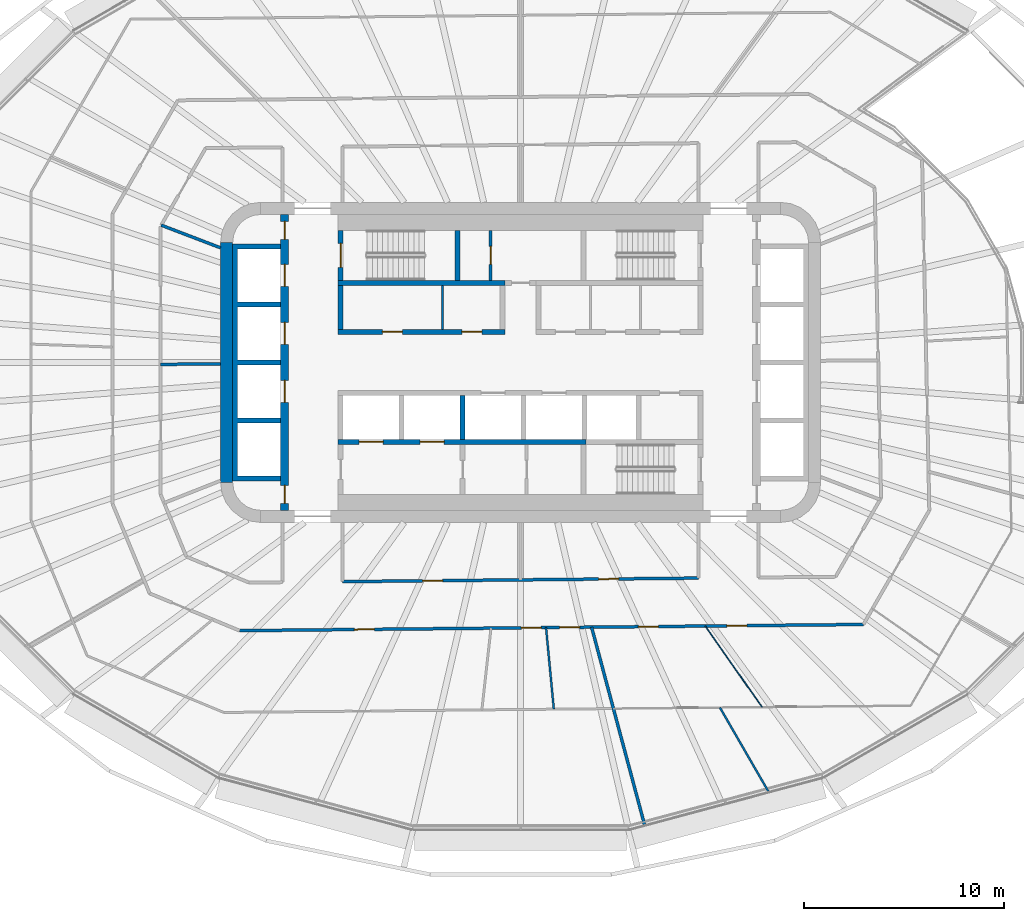
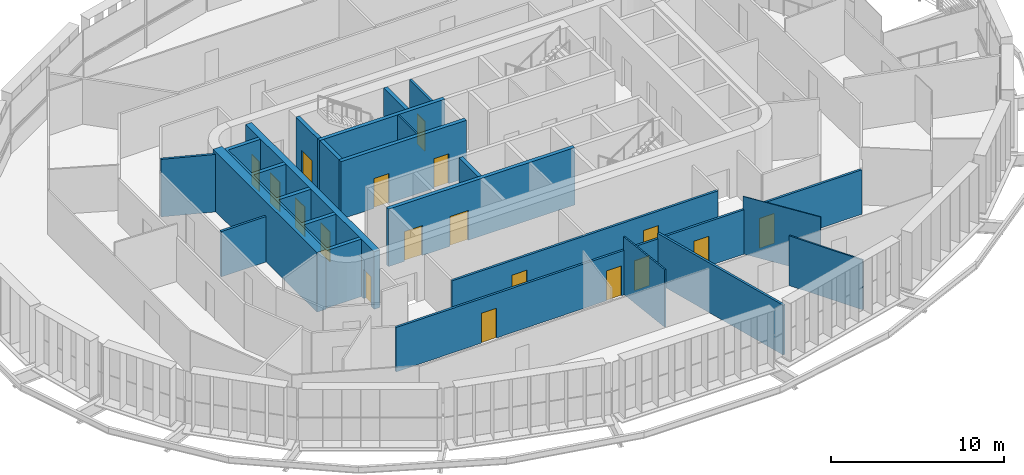
# One storey, part 13 of 24: 20 walls, 18 doors, 18 openings.
"""IFC4 building model written with IfcOpenShell, lengths in metres."""

from ifc_helpers import new_model, si_unit, direction, frame, frame_2d, origin, place, context, subcontext, project, spatial, polyline, rectangle, outline, extrude, material, layer, layer_set, type_object, element, fill, save


model = new_model("IFC4")

# Units and contexts
model_context = context("Model", 3, precision=1e-05, world=origin(), true_north=direction((0.0, 1.0)))
body_context = subcontext(model_context, "Body", "Model", "MODEL_VIEW")
ifc_project = project(units=[si_unit("LENGTHUNIT", "METRE"), si_unit("AREAUNIT", "SQUARE_METRE"), si_unit("VOLUMEUNIT", "CUBIC_METRE"), si_unit("PLANEANGLEUNIT", "RADIAN"), si_unit("MASSUNIT", "GRAM", prefix="KILO")], contexts=[model_context])

# Site, building, storey
site_placement = place(None, origin())
site = spatial("IfcSite", under=ifc_project, at=site_placement, CompositionType="ELEMENT")
building_placement = place(site_placement, origin())
building = spatial("IfcBuilding", under=site, at=building_placement, Name="Sahrelin Media Tower", CompositionType="ELEMENT")
storey_placement = place(building_placement, frame((0.0, 0.0, 71.39990234375)))
storey = spatial("IfcBuildingStorey", under=building, at=storey_placement, Name="L12", CompositionType="ELEMENT", Elevation=71.39990234375)

# Wall
ifc_material_1 = material(Name="Concrete C60/75", Category="concrete")
ifc_layer_1 = layer(ifc_material_1, 0.60009765625)
ifc_layer_set_1 = layer_set([ifc_layer_1], Name="Core wall 600")
wall_type_1 = type_object("IfcWallType", Name="Core wall 600", PredefinedType="SHEAR", material=ifc_layer_set_1)
wall_1_placement = place(storey_placement, frame((-14.699951171875, -6.0, 0.0), z_axis=(0.0, 0.0, 1.0), x_axis=(0.0, 1.0, 0.0)))
element("IfcWall", 1, at=wall_1_placement, inside=storey, type_object=wall_type_1, Name="Core wall W L12", PredefinedType="SHEAR", context=body_context, shape_type="SweptSolid", body=[
    extrude(rectangle(XDim=12.0, YDim=0.60009765625, at=frame_2d((6.0, 0.0))), origin(), (0.0, 0.0, 1.0), 4.2001953125),
])

# Wall, openings, doors
ifc_material_2 = material(Name="Fire-rated gypsum board partition")
ifc_layer_2 = layer(ifc_material_2, 0.25)
ifc_layer_set_2 = layer_set([ifc_layer_2], Name="Fire-rated lobby wall 250")
wall_type_2 = type_object("IfcWallType", Name="Fire-rated lobby wall 250", PredefinedType="PARTITIONING", material=ifc_layer_set_2)
wall_2_placement = place(storey_placement, frame((-9.125, 1.52490234375, 0.0), z_axis=(0.0, 0.0, 1.0), x_axis=(1.0, 0.0, 0.0)))
wall_2 = element("IfcWall", 2, at=wall_2_placement, inside=storey, type_object=wall_type_2, Name="Core lobby wall", PredefinedType="PARTITIONING", context=body_context, shape_type="SweptSolid", body=[
    extrude(rectangle(XDim=8.35009765625, YDim=0.25, at=frame_2d((4.175048828125, 0.0))), origin(), (0.0, 0.0, 1.0), 4.050048828125),
])
opening_1_placement = place(wall_2_placement, frame((2.21240234375, 0.0, 0.0)))
opening_1 = element("IfcOpeningElement", 3, at=opening_1_placement, cuts=wall_2, Name="Opening L12-D09", PredefinedType="OPENING", context=body_context, shape_type="SweptSolid", body=[
    extrude(rectangle(XDim=1.0, YDim=2.10009765625, at=frame_2d((0.5, 1.050048828125))), frame((0.0, 0.125, 0.0), z_axis=(0.0, -1.0, 0.0), x_axis=(1.0, 0.0, 0.0)), (0.0, 0.0, 1.0), 0.25),
])
opening_2_placement = place(wall_2_placement, frame((6.1875, 0.0, 0.0)))
opening_2 = element("IfcOpeningElement", 4, at=opening_2_placement, cuts=wall_2, Name="Opening L12-D10", PredefinedType="OPENING", context=body_context, shape_type="SweptSolid", body=[
    extrude(rectangle(XDim=1.0, YDim=2.10009765625, at=frame_2d((0.5, 1.050048828125))), frame((0.0, 0.125, 0.0), z_axis=(0.0, -1.0, 0.0), x_axis=(1.0, 0.0, 0.0)), (0.0, 0.0, 1.0), 0.25),
])
ifc_material_3 = material(Name="Steel fire door leaf", Category="steel")
door_type_1 = type_object("IfcDoorType", Name="Fire door 1000 x 2100 EI 60", OperationType="NOTDEFINED", PredefinedType="DOOR", material=ifc_material_3)
door_1_placement = place(opening_1_placement, origin())
door_1 = element("IfcDoor", 5, at=door_1_placement, inside=storey, type_object=door_type_1, Name="Core room door", OperationType="SINGLE_SWING_LEFT", OverallHeight=2.10009765625, OverallWidth=1.0, PredefinedType="DOOR", context=body_context, shape_type="SweptSolid", body=[
    extrude(rectangle(XDim=1.0, YDim=2.10009765625, at=frame_2d((0.5, 1.050048828125))), frame((0.0, 0.02490234375, 0.0), z_axis=(0.0, -1.0, 0.0), x_axis=(1.0, 0.0, 0.0)), (0.0, 0.0, 1.0), 0.050048828125),
])
fill(opening_1, door_1)
door_2_placement = place(opening_2_placement, origin())
door_2 = element("IfcDoor", 6, at=door_2_placement, inside=storey, type_object=door_type_1, Name="Core room door", OperationType="SINGLE_SWING_LEFT", OverallHeight=2.10009765625, OverallWidth=1.0, PredefinedType="DOOR", context=body_context, shape_type="SweptSolid", body=[
    extrude(rectangle(XDim=1.0, YDim=2.10009765625, at=frame_2d((0.5, 1.050048828125))), frame((0.0, 0.02490234375, 0.0), z_axis=(0.0, -1.0, 0.0), x_axis=(1.0, 0.0, 0.0)), (0.0, 0.0, 1.0), 0.050048828125),
])
fill(opening_2, door_2)

# Walls
wall_3_placement = place(storey_placement, frame((-9.0, 1.64990234375, 0.0), z_axis=(0.0, 0.0, 1.0), x_axis=(0.0, 1.0, 0.0)))
element("IfcWall", 7, at=wall_3_placement, inside=storey, type_object=wall_type_2, Name="Core lobby wall", PredefinedType="PARTITIONING", context=body_context, shape_type="SweptSolid", body=[
    extrude(rectangle(XDim=2.2001953125, YDim=0.25, at=frame_2d((1.10009765625, 0.0))), origin(), (0.0, 0.0, 1.0), 4.050048828125),
])
ifc_layer_3 = layer(ifc_material_2, 0.10009765625)
ifc_layer_set_3 = layer_set([ifc_layer_3], Name="Fire-rated partition 100")
wall_type_3 = type_object("IfcWallType", Name="Fire-rated partition 100", PredefinedType="PARTITIONING", material=ifc_layer_set_3)
wall_4_placement = place(storey_placement, frame((-3.89990234375, 1.64990234375, 0.0), z_axis=(0.0, 0.0, 1.0), x_axis=(0.0, 1.0, 0.0)))
element("IfcWall", 8, at=wall_4_placement, inside=storey, type_object=wall_type_3, Name="Core room partition", PredefinedType="PARTITIONING", context=body_context, shape_type="SweptSolid", body=[
    extrude(rectangle(XDim=2.2001953125, YDim=0.10009765625, at=frame_2d((1.10009765625, 0.0))), origin(), (0.0, 0.0, 1.0), 4.050048828125),
])

# Wall, opening, door
ifc_layer_4 = layer(ifc_material_2, 0.14990234375)
ifc_layer_set_4 = layer_set([ifc_layer_4], Name="Fire-rated partition 150")
wall_type_4 = type_object("IfcWallType", Name="Fire-rated partition 150", PredefinedType="PARTITIONING", material=ifc_layer_set_4)
wall_5_placement = place(storey_placement, frame((-1.5, 4.10009765625, 0.0), z_axis=(0.0, 0.0, 1.0), x_axis=(0.0, 1.0, 0.0)))
wall_5 = element("IfcWall", 9, at=wall_5_placement, inside=storey, type_object=wall_type_4, Name="Core room fire partition", PredefinedType="PARTITIONING", context=body_context, shape_type="SweptSolid", body=[
    extrude(rectangle(XDim=2.5, YDim=0.14990234375, at=frame_2d((1.25, 0.0))), origin(), (0.0, 0.0, 1.0), 4.050048828125),
])
opening_3_placement = place(wall_5_placement, frame((0.800048828125, 0.0, 0.0)))
opening_3 = element("IfcOpeningElement", 10, at=opening_3_placement, cuts=wall_5, Name="Opening L12-D07", PredefinedType="OPENING", context=body_context, shape_type="SweptSolid", body=[
    extrude(rectangle(XDim=0.89990234375, YDim=2.10009765625, at=frame_2d((0.449951171875, 1.050048828125))), frame((0.0, 0.074951171875, 0.0), z_axis=(0.0, -1.0, 0.0), x_axis=(1.0, 0.0, 0.0)), (0.0, 0.0, 1.0), 0.14990234375),
])
door_type_2 = type_object("IfcDoorType", Name="Fire door 900 x 2100 EI 60", OperationType="NOTDEFINED", PredefinedType="DOOR", material=ifc_material_3)
door_3_placement = place(opening_3_placement, origin())
door_3 = element("IfcDoor", 11, at=door_3_placement, inside=storey, type_object=door_type_2, Name="Core room door", OperationType="SINGLE_SWING_LEFT", OverallHeight=2.10009765625, OverallWidth=0.89990234375, PredefinedType="DOOR", context=body_context, shape_type="SweptSolid", body=[
    extrude(rectangle(XDim=0.89990234375, YDim=2.10009765625, at=frame_2d((0.449951171875, 1.050048828125))), frame((0.0, 0.02490234375, 0.0), z_axis=(0.0, -1.0, 0.0), x_axis=(1.0, 0.0, 0.0)), (0.0, 0.0, 1.0), 0.050048828125),
])
fill(opening_3, door_3)

# Walls
wall_6_placement = place(storey_placement, frame((3.547119140625, -13.236083984375, 0.0), z_axis=(0.0, 0.0, 1.0), x_axis=(0.258783597602, -0.965935323721, 0.0)))
element("IfcWall", 12, at=wall_6_placement, inside=storey, type_object=wall_type_4, Name="Wall", PredefinedType="PARTITIONING", context=body_context, shape_type="SweptSolid", body=[
    extrude(rectangle(XDim=10.273681640625, YDim=0.14990234375, at=frame_2d((5.13671875, 0.0))), origin(), (0.0, 0.0, 1.0), 3.501708984375),
])
wall_7_placement = place(storey_placement, frame((-17.968017578125, 6.860107421875, 0.0), z_axis=(0.0, 0.0, 1.0), x_axis=(0.934237940374, -0.356650348053, 0.0)))
element("IfcWall", 13, at=wall_7_placement, inside=storey, type_object=wall_type_4, Name="Wall", PredefinedType="PARTITIONING", context=body_context, shape_type="SweptSolid", body=[
    extrude(rectangle(XDim=3.177001953125, YDim=0.14990234375, at=frame_2d((1.58837890625, 0.0))), origin(), (0.0, 0.0, 1.0), 4.050048828125),
])
wall_8_placement = place(storey_placement, frame((-18.0, -0.096923828125, 0.0), z_axis=(0.0, 0.0, 1.0), x_axis=(0.999985575988, 0.005371016277, 0.0)))
element("IfcWall", 14, at=wall_8_placement, inside=storey, type_object=wall_type_4, Name="Wall", PredefinedType="PARTITIONING", context=body_context, shape_type="SweptSolid", body=[
    extrude(rectangle(XDim=3.0, YDim=0.14990234375, at=frame_2d((1.5, 0.0))), origin(), (0.0, 0.0, 1.0), 3.1953125),
])

# Wall, openings, doors
wall_9_placement = place(storey_placement, frame((-14.049072265625, -13.410888671875, 0.0), z_axis=(0.0, 0.0, 1.0), x_axis=(0.999950729089, 0.009926701045, 0.0)))
wall_9 = element("IfcWall", 15, at=wall_9_placement, inside=storey, type_object=wall_type_4, Name="Wall", PredefinedType="PARTITIONING", context=body_context, shape_type="SweptSolid", body=[
    extrude(rectangle(XDim=31.185546875, YDim=0.14990234375, at=frame_2d((15.5927734375, 0.0))), origin(), (0.0, 0.0, 1.0), 3.127197265625),
])
opening_4_placement = place(wall_9_placement, frame((5.732666015625, 0.0, 0.0)))
opening_4 = element("IfcOpeningElement", 16, at=opening_4_placement, cuts=wall_9, Name="Opening L12-D40", PredefinedType="OPENING", context=body_context, shape_type="SweptSolid", body=[
    extrude(rectangle(XDim=1.0, YDim=2.10009765625, at=frame_2d((0.5, 1.050048828125))), frame((0.0, 0.074951171875, 0.0), z_axis=(0.0, -1.0, 0.0), x_axis=(1.0, 0.0, 0.0)), (0.0, 0.0, 1.0), 0.14990234375),
])
opening_5_placement = place(wall_9_placement, frame((14.07958984375, 0.0, 0.0)))
opening_5 = element("IfcOpeningElement", 17, at=opening_5_placement, cuts=wall_9, Name="Opening L12-D41", PredefinedType="OPENING", context=body_context, shape_type="SweptSolid", body=[
    extrude(rectangle(XDim=1.0, YDim=2.10009765625, at=frame_2d((0.5, 1.050048828125))), frame((0.0, 0.074951171875, 0.0), z_axis=(0.0, -1.0, 0.0), x_axis=(1.0, 0.0, 0.0)), (0.0, 0.0, 1.0), 0.14990234375),
])
opening_6_placement = place(wall_9_placement, frame((15.995849609375, 0.0, 0.0)))
opening_6 = element("IfcOpeningElement", 18, at=opening_6_placement, cuts=wall_9, Name="Opening L12-D42", PredefinedType="OPENING", context=body_context, shape_type="SweptSolid", body=[
    extrude(rectangle(XDim=1.0, YDim=2.10009765625, at=frame_2d((0.5, 1.050048828125))), frame((0.0, 0.074951171875, 0.0), z_axis=(0.0, -1.0, 0.0), x_axis=(1.0, 0.0, 0.0)), (0.0, 0.0, 1.0), 0.14990234375),
])
opening_7_placement = place(wall_9_placement, frame((19.9404296875, 0.0, 0.0)))
opening_7 = element("IfcOpeningElement", 19, at=opening_7_placement, cuts=wall_9, Name="Opening L12-D44", PredefinedType="OPENING", context=body_context, shape_type="SweptSolid", body=[
    extrude(rectangle(XDim=1.0, YDim=2.10009765625, at=frame_2d((0.5, 1.050048828125))), frame((0.0, 0.074951171875, 0.0), z_axis=(0.0, -1.0, 0.0), x_axis=(1.0, 0.0, 0.0)), (0.0, 0.0, 1.0), 0.14990234375),
])
opening_8_placement = place(wall_9_placement, frame((24.358642578125, 0.0, 0.0)))
opening_8 = element("IfcOpeningElement", 20, at=opening_8_placement, cuts=wall_9, Name="Opening L12-D45", PredefinedType="OPENING", context=body_context, shape_type="SweptSolid", body=[
    extrude(rectangle(XDim=1.0, YDim=2.10009765625, at=frame_2d((0.5, 1.050048828125))), frame((0.0, 0.074951171875, 0.0), z_axis=(0.0, -1.0, 0.0), x_axis=(1.0, 0.0, 0.0)), (0.0, 0.0, 1.0), 0.14990234375),
])
door_4_placement = place(opening_4_placement, origin())
door_4 = element("IfcDoor", 21, at=door_4_placement, inside=storey, type_object=door_type_1, Name="Fire door", OperationType="SINGLE_SWING_LEFT", OverallHeight=2.10009765625, OverallWidth=1.0, PredefinedType="DOOR", context=body_context, shape_type="SweptSolid", body=[
    extrude(rectangle(XDim=1.0, YDim=2.10009765625, at=frame_2d((0.5, 1.050048828125))), frame((0.0, 0.02490234375, 0.0), z_axis=(0.0, -1.0, 0.0), x_axis=(1.0, 0.0, 0.0)), (0.0, 0.0, 1.0), 0.050048828125),
])
fill(opening_4, door_4)
door_5_placement = place(opening_5_placement, origin())
door_5 = element("IfcDoor", 22, at=door_5_placement, inside=storey, type_object=door_type_1, Name="Fire door", OperationType="SINGLE_SWING_LEFT", OverallHeight=2.10009765625, OverallWidth=1.0, PredefinedType="DOOR", context=body_context, shape_type="SweptSolid", body=[
    extrude(rectangle(XDim=1.0, YDim=2.10009765625, at=frame_2d((0.5, 1.050048828125))), frame((0.0, 0.02490234375, 0.0), z_axis=(0.0, -1.0, 0.0), x_axis=(1.0, 0.0, 0.0)), (0.0, 0.0, 1.0), 0.050048828125),
])
fill(opening_5, door_5)
door_6_placement = place(opening_6_placement, origin())
door_6 = element("IfcDoor", 23, at=door_6_placement, inside=storey, type_object=door_type_1, Name="Fire door", OperationType="SINGLE_SWING_LEFT", OverallHeight=2.10009765625, OverallWidth=1.0, PredefinedType="DOOR", context=body_context, shape_type="SweptSolid", body=[
    extrude(rectangle(XDim=1.0, YDim=2.10009765625, at=frame_2d((0.5, 1.050048828125))), frame((0.0, 0.02490234375, 0.0), z_axis=(0.0, -1.0, 0.0), x_axis=(1.0, 0.0, 0.0)), (0.0, 0.0, 1.0), 0.050048828125),
])
fill(opening_6, door_6)
door_7_placement = place(opening_7_placement, origin())
door_7 = element("IfcDoor", 24, at=door_7_placement, inside=storey, type_object=door_type_1, Name="Fire door", OperationType="SINGLE_SWING_LEFT", OverallHeight=2.10009765625, OverallWidth=1.0, PredefinedType="DOOR", context=body_context, shape_type="SweptSolid", body=[
    extrude(rectangle(XDim=1.0, YDim=2.10009765625, at=frame_2d((0.5, 1.050048828125))), frame((0.0, 0.02490234375, 0.0), z_axis=(0.0, -1.0, 0.0), x_axis=(1.0, 0.0, 0.0)), (0.0, 0.0, 1.0), 0.050048828125),
])
fill(opening_7, door_7)
door_8_placement = place(opening_8_placement, origin())
door_8 = element("IfcDoor", 25, at=door_8_placement, inside=storey, type_object=door_type_1, Name="Fire door", OperationType="SINGLE_SWING_RIGHT", OverallHeight=2.10009765625, OverallWidth=1.0, PredefinedType="DOOR", context=body_context, shape_type="SweptSolid", body=[
    extrude(rectangle(XDim=1.0, YDim=2.10009765625, at=frame_2d((0.5, 1.050048828125))), frame((0.0, 0.02490234375, 0.0), z_axis=(0.0, -1.0, 0.0), x_axis=(1.0, 0.0, 0.0)), (0.0, 0.0, 1.0), 0.050048828125),
])
fill(opening_8, door_8)

wall_10_placement = place(storey_placement, frame((-8.89990234375, -10.9599609375, 0.0), z_axis=(0.0, 0.0, 1.0), x_axis=(0.999950697987, 0.009929833562, 0.0)))
wall_10 = element("IfcWall", 26, at=wall_10_placement, inside=storey, type_object=wall_type_4, Name="Wall", PredefinedType="PARTITIONING", context=body_context, shape_type="SweptSolid", body=[
    extrude(rectangle(XDim=17.80078125, YDim=0.14990234375, at=frame_2d((8.900390625, 0.0))), origin(), (0.0, 0.0, 1.0), 3.127197265625),
])
opening_9_placement = place(wall_10_placement, frame((4.00048828125, 0.0, 0.0)))
opening_9 = element("IfcOpeningElement", 27, at=opening_9_placement, cuts=wall_10, Name="Opening L12-D23", PredefinedType="OPENING", context=body_context, shape_type="SweptSolid", body=[
    extrude(rectangle(XDim=1.0, YDim=2.10009765625, at=frame_2d((0.5, 1.050048828125))), frame((0.0, 0.074951171875, 0.0), z_axis=(0.0, -1.0, 0.0), x_axis=(1.0, 0.0, 0.0)), (0.0, 0.0, 1.0), 0.14990234375),
])
opening_10_placement = place(wall_10_placement, frame((12.7998046875, 0.0, 0.0)))
opening_10 = element("IfcOpeningElement", 28, at=opening_10_placement, cuts=wall_10, Name="Opening L12-D24", PredefinedType="OPENING", context=body_context, shape_type="SweptSolid", body=[
    extrude(rectangle(XDim=1.0, YDim=2.10009765625, at=frame_2d((0.5, 1.050048828125))), frame((0.0, 0.074951171875, 0.0), z_axis=(0.0, -1.0, 0.0), x_axis=(1.0, 0.0, 0.0)), (0.0, 0.0, 1.0), 0.14990234375),
])
door_9_placement = place(opening_9_placement, origin())
door_9 = element("IfcDoor", 29, at=door_9_placement, inside=storey, type_object=door_type_1, Name="Fire door", OperationType="SINGLE_SWING_RIGHT", OverallHeight=2.10009765625, OverallWidth=1.0, PredefinedType="DOOR", context=body_context, shape_type="SweptSolid", body=[
    extrude(rectangle(XDim=1.0, YDim=2.10009765625, at=frame_2d((0.5, 1.050048828125))), frame((0.0, 0.02490234375, 0.0), z_axis=(0.0, -1.0, 0.0), x_axis=(1.0, 0.0, 0.0)), (0.0, 0.0, 1.0), 0.050048828125),
])
fill(opening_9, door_9)
door_10_placement = place(opening_10_placement, origin())
door_10 = element("IfcDoor", 30, at=door_10_placement, inside=storey, type_object=door_type_1, Name="Fire door", OperationType="SINGLE_SWING_RIGHT", OverallHeight=2.10009765625, OverallWidth=1.0, PredefinedType="DOOR", context=body_context, shape_type="SweptSolid", body=[
    extrude(rectangle(XDim=1.0, YDim=2.10009765625, at=frame_2d((0.5, 1.050048828125))), frame((0.0, 0.02490234375, 0.0), z_axis=(0.0, -1.0, 0.0), x_axis=(1.0, 0.0, 0.0)), (0.0, 0.0, 1.0), 0.050048828125),
])
fill(opening_10, door_10)

# Wall
ifc_material_4 = material(Name="Clear glass", Category="glass")
ifc_layer_5 = layer(ifc_material_4, 0.050048828125)
ifc_layer_set_5 = layer_set([ifc_layer_5], Name="Glazed partition 50")
wall_type_5 = type_object("IfcWallType", Name="Glazed partition 50", PredefinedType="PARTITIONING", material=ifc_layer_set_5)
wall_11_placement = place(storey_placement, frame((9.22802734375, -13.179931640625, 0.0), z_axis=(0.0, 0.0, 1.0), x_axis=(0.57366437087, -0.819090464842, 0.0)))
element("IfcWall", 31, at=wall_11_placement, inside=storey, type_object=wall_type_5, Name="Wall", PredefinedType="PARTITIONING", context=body_context, shape_type="SweptSolid", body=[
    extrude(rectangle(XDim=4.947021484375, YDim=0.050048828125, at=frame_2d((2.4736328125, 0.0))), origin(), (0.0, 0.0, 1.0), 4.050048828125),
])

# Wall, openings, doors
ifc_layer_6 = layer(ifc_material_1, 0.25)
ifc_layer_set_6 = layer_set([ifc_layer_6], Name="Lift shaft wall 250")
wall_type_6 = type_object("IfcWallType", Name="Lift shaft wall 250", PredefinedType="SOLIDWALL", material=ifc_layer_set_6)
wall_12_placement = place(storey_placement, frame((-9.125, -3.97509765625, 0.0), z_axis=(0.0, 0.0, 1.0), x_axis=(1.0, 0.0, 0.0)))
wall_12 = element("IfcWall", 32, at=wall_12_placement, inside=storey, type_object=wall_type_6, Name="Lift shaft wall", PredefinedType="SOLIDWALL", context=body_context, shape_type="SweptSolid", body=[
    extrude(rectangle(XDim=12.39990234375, YDim=0.25, at=frame_2d((6.199951171875, 0.0))), origin(), (0.0, 0.0, 1.0), 4.050048828125),
])
opening_11_placement = place(wall_12_placement, frame((1.050048828125, 0.0, 0.0)))
opening_11 = element("IfcOpeningElement", 33, at=opening_11_placement, cuts=wall_12, Name="Opening L12-LD-FF1", PredefinedType="OPENING", context=body_context, shape_type="SweptSolid", body=[
    extrude(rectangle(XDim=1.199951171875, YDim=2.10009765625, at=frame_2d((0.60009765625, 1.050048828125))), frame((0.0, 0.125, 0.0), z_axis=(0.0, -1.0, 0.0), x_axis=(1.0, 0.0, 0.0)), (0.0, 0.0, 1.0), 0.25),
])
opening_12_placement = place(wall_12_placement, frame((4.10009765625, 0.0, 0.0)))
opening_12 = element("IfcOpeningElement", 34, at=opening_12_placement, cuts=wall_12, Name="Opening L12-LD-FF2", PredefinedType="OPENING", context=body_context, shape_type="SweptSolid", body=[
    extrude(rectangle(XDim=1.199951171875, YDim=2.10009765625, at=frame_2d((0.60009765625, 1.050048828125))), frame((0.0, 0.125, 0.0), z_axis=(0.0, -1.0, 0.0), x_axis=(1.0, 0.0, 0.0)), (0.0, 0.0, 1.0), 0.25),
])
ifc_material_5 = material(Name="Stainless steel", Category="steel")
door_type_3 = type_object("IfcDoorType", Name="Lift landing door 1200 x 2100 EI 120", OperationType="DOUBLE_DOOR_SLIDING", PredefinedType="DOOR", material=ifc_material_5)
door_11_placement = place(opening_11_placement, origin())
door_11 = element("IfcDoor", 35, at=door_11_placement, inside=storey, type_object=door_type_3, Name="Lift landing door FF1", OperationType="DOUBLE_DOOR_SLIDING", OverallHeight=2.10009765625, OverallWidth=1.199951171875, PredefinedType="DOOR", context=body_context, shape_type="SweptSolid", body=[
    extrude(rectangle(XDim=1.199951171875, YDim=2.10009765625, at=frame_2d((0.60009765625, 1.050048828125))), frame((0.0, 0.02490234375, 0.0), z_axis=(0.0, -1.0, 0.0), x_axis=(1.0, 0.0, 0.0)), (0.0, 0.0, 1.0), 0.050048828125),
])
fill(opening_11, door_11)
door_12_placement = place(opening_12_placement, origin())
door_12 = element("IfcDoor", 36, at=door_12_placement, inside=storey, type_object=door_type_3, Name="Lift landing door FF2", OperationType="DOUBLE_DOOR_SLIDING", OverallHeight=2.10009765625, OverallWidth=1.199951171875, PredefinedType="DOOR", context=body_context, shape_type="SweptSolid", body=[
    extrude(rectangle(XDim=1.199951171875, YDim=2.10009765625, at=frame_2d((0.60009765625, 1.050048828125))), frame((0.0, 0.02490234375, 0.0), z_axis=(0.0, -1.0, 0.0), x_axis=(1.0, 0.0, 0.0)), (0.0, 0.0, 1.0), 0.050048828125),
])
fill(opening_12, door_12)

# Walls
wall_13_placement = place(storey_placement, frame((-2.89990234375, -3.85009765625, 0.0), z_axis=(0.0, 0.0, 1.0), x_axis=(0.0, 1.0, 0.0)))
element("IfcWall", 37, at=wall_13_placement, inside=storey, type_object=wall_type_6, Name="Lift shaft wall", PredefinedType="SOLIDWALL", context=body_context, shape_type="SweptSolid", body=[
    extrude(rectangle(XDim=2.2001953125, YDim=0.25, at=frame_2d((1.10009765625, 0.0))), origin(), (0.0, 0.0, 1.0), 4.050048828125),
])
wall_14_placement = place(storey_placement, origin())
element("IfcWall", 38, at=wall_14_placement, inside=storey, type_object=wall_type_6, Name="Lift shaft wall", PredefinedType="SOLIDWALL", context=body_context, shape_type="SweptSolid", body=[
    extrude(outline(polyline([(-12.0, -5.925048828125), (-12.0, -5.675048828125), (-14.14990234375, -5.675048828125), (-14.14990234375, -3.02490234375), (-12.0, -3.02490234375), (-12.0, -2.77490234375), (-14.14990234375, -2.77490234375), (-14.14990234375, -0.125), (-12.0, -0.125), (-12.0, 0.125), (-14.14990234375, 0.125), (-14.14990234375, 2.77490234375), (-12.0, 2.77490234375), (-12.0, 3.02490234375), (-14.14990234375, 3.02490234375), (-14.14990234375, 5.675048828125), (-12.0, 5.675048828125), (-12.0, 5.925048828125), (-14.14990234375, 5.925048828125), (-14.39990234375, 5.925048828125), (-14.39990234375, 5.675048828125), (-14.39990234375, 3.02490234375), (-14.39990234375, 2.77490234375), (-14.39990234375, 0.125), (-14.39990234375, -0.125), (-14.39990234375, -2.77490234375), (-14.39990234375, -3.02490234375), (-14.39990234375, -5.675048828125), (-14.39990234375, -5.925048828125), (-14.14990234375, -5.925048828125), (-12.0, -5.925048828125)])), origin(), (0.0, 0.0, 1.0), 4.050048828125),
])

# Wall, openings, doors
ifc_layer_7 = layer(ifc_material_1, 0.39990234375)
ifc_layer_set_7 = layer_set([ifc_layer_7], Name="Lift shaft wall 400")
wall_type_7 = type_object("IfcWallType", Name="Lift shaft wall 400", PredefinedType="SOLIDWALL", material=ifc_layer_set_7)
wall_15_placement = place(storey_placement, frame((-11.800048828125, -7.39990234375, 0.0), z_axis=(0.0, 0.0, 1.0), x_axis=(0.0, 1.0, 0.0)))
wall_15 = element("IfcWall", 39, at=wall_15_placement, inside=storey, type_object=wall_type_7, Name="Lift shaft wall", PredefinedType="SOLIDWALL", context=body_context, shape_type="SweptSolid", body=[
    extrude(rectangle(XDim=14.7998046875, YDim=0.39990234375, at=frame_2d((7.39990234375, 0.0))), origin(), (0.0, 0.0, 1.0), 4.050048828125),
])
opening_13_placement = place(wall_15_placement, frame((11.199951171875, 0.0, 0.0)))
opening_13 = element("IfcOpeningElement", 40, at=opening_13_placement, cuts=wall_15, Name="Opening L12-LD-LR1", PredefinedType="OPENING", context=body_context, shape_type="SweptSolid", body=[
    extrude(rectangle(XDim=1.10009765625, YDim=2.10009765625, at=frame_2d((0.550048828125, 1.050048828125))), frame((0.0, 0.199951171875, 0.0), z_axis=(0.0, -1.0, 0.0), x_axis=(1.0, 0.0, 0.0)), (0.0, 0.0, 1.0), 0.39990234375),
])
opening_14_placement = place(wall_15_placement, frame((8.300048828125, 0.0, 0.0)))
opening_14 = element("IfcOpeningElement", 41, at=opening_14_placement, cuts=wall_15, Name="Opening L12-LD-LR2", PredefinedType="OPENING", context=body_context, shape_type="SweptSolid", body=[
    extrude(rectangle(XDim=1.10009765625, YDim=2.10009765625, at=frame_2d((0.550048828125, 1.050048828125))), frame((0.0, 0.199951171875, 0.0), z_axis=(0.0, -1.0, 0.0), x_axis=(1.0, 0.0, 0.0)), (0.0, 0.0, 1.0), 0.39990234375),
])
opening_15_placement = place(wall_15_placement, frame((5.39990234375, 0.0, 0.0)))
opening_15 = element("IfcOpeningElement", 42, at=opening_15_placement, cuts=wall_15, Name="Opening L12-LD-LR3", PredefinedType="OPENING", context=body_context, shape_type="SweptSolid", body=[
    extrude(rectangle(XDim=1.10009765625, YDim=2.10009765625, at=frame_2d((0.550048828125, 1.050048828125))), frame((0.0, 0.199951171875, 0.0), z_axis=(0.0, -1.0, 0.0), x_axis=(1.0, 0.0, 0.0)), (0.0, 0.0, 1.0), 0.39990234375),
])
opening_16_placement = place(wall_15_placement, frame((13.552490234375, 0.0, 0.0)))
opening_16 = element("IfcOpeningElement", 43, at=opening_16_placement, cuts=wall_15, Name="Opening L12-D15", PredefinedType="OPENING", context=body_context, shape_type="SweptSolid", body=[
    extrude(rectangle(XDim=0.89990234375, YDim=2.10009765625, at=frame_2d((0.449951171875, 1.050048828125))), frame((0.0, 0.199951171875, 0.0), z_axis=(0.0, -1.0, 0.0), x_axis=(1.0, 0.0, 0.0)), (0.0, 0.0, 1.0), 0.39990234375),
])
opening_17_placement = place(wall_15_placement, frame((0.347412109375, 0.0, 0.0)))
opening_17 = element("IfcOpeningElement", 44, at=opening_17_placement, cuts=wall_15, Name="Opening L12-D16", PredefinedType="OPENING", context=body_context, shape_type="SweptSolid", body=[
    extrude(rectangle(XDim=0.89990234375, YDim=2.10009765625, at=frame_2d((0.449951171875, 1.050048828125))), frame((0.0, 0.199951171875, 0.0), z_axis=(0.0, -1.0, 0.0), x_axis=(1.0, 0.0, 0.0)), (0.0, 0.0, 1.0), 0.39990234375),
])
door_type_4 = type_object("IfcDoorType", Name="Lift landing door 1100 x 2100 EI 120", OperationType="DOUBLE_DOOR_SLIDING", PredefinedType="DOOR", material=ifc_material_5)
door_13_placement = place(opening_13_placement, origin())
door_13 = element("IfcDoor", 45, at=door_13_placement, inside=storey, type_object=door_type_4, Name="Lift landing door LR1", OperationType="DOUBLE_DOOR_SLIDING", OverallHeight=2.10009765625, OverallWidth=1.10009765625, PredefinedType="DOOR", context=body_context, shape_type="SweptSolid", body=[
    extrude(rectangle(XDim=1.10009765625, YDim=2.10009765625, at=frame_2d((0.550048828125, 1.050048828125))), frame((0.0, 0.02490234375, 0.0), z_axis=(0.0, -1.0, 0.0), x_axis=(1.0, 0.0, 0.0)), (0.0, 0.0, 1.0), 0.050048828125),
])
fill(opening_13, door_13)
door_14_placement = place(opening_14_placement, origin())
door_14 = element("IfcDoor", 46, at=door_14_placement, inside=storey, type_object=door_type_4, Name="Lift landing door LR2", OperationType="DOUBLE_DOOR_SLIDING", OverallHeight=2.10009765625, OverallWidth=1.10009765625, PredefinedType="DOOR", context=body_context, shape_type="SweptSolid", body=[
    extrude(rectangle(XDim=1.10009765625, YDim=2.10009765625, at=frame_2d((0.550048828125, 1.050048828125))), frame((0.0, 0.02490234375, 0.0), z_axis=(0.0, -1.0, 0.0), x_axis=(1.0, 0.0, 0.0)), (0.0, 0.0, 1.0), 0.050048828125),
])
fill(opening_14, door_14)
door_15_placement = place(opening_15_placement, origin())
door_15 = element("IfcDoor", 47, at=door_15_placement, inside=storey, type_object=door_type_4, Name="Lift landing door LR3", OperationType="DOUBLE_DOOR_SLIDING", OverallHeight=2.10009765625, OverallWidth=1.10009765625, PredefinedType="DOOR", context=body_context, shape_type="SweptSolid", body=[
    extrude(rectangle(XDim=1.10009765625, YDim=2.10009765625, at=frame_2d((0.550048828125, 1.050048828125))), frame((0.0, 0.02490234375, 0.0), z_axis=(0.0, -1.0, 0.0), x_axis=(1.0, 0.0, 0.0)), (0.0, 0.0, 1.0), 0.050048828125),
])
fill(opening_15, door_15)
door_type_5 = type_object("IfcDoorType", Name="Riser door 900 x 2100 EI 120", OperationType="NOTDEFINED", PredefinedType="DOOR", material=ifc_material_3)
door_16_placement = place(opening_16_placement, origin())
door_16 = element("IfcDoor", 48, at=door_16_placement, inside=storey, type_object=door_type_5, Name="Riser door", OperationType="SINGLE_SWING_LEFT", OverallHeight=2.10009765625, OverallWidth=0.89990234375, PredefinedType="DOOR", context=body_context, shape_type="SweptSolid", body=[
    extrude(rectangle(XDim=0.89990234375, YDim=2.10009765625, at=frame_2d((0.449951171875, 1.050048828125))), frame((0.0, 0.02490234375, 0.0), z_axis=(0.0, -1.0, 0.0), x_axis=(1.0, 0.0, 0.0)), (0.0, 0.0, 1.0), 0.050048828125),
])
fill(opening_16, door_16)
door_17_placement = place(opening_17_placement, origin())
door_17 = element("IfcDoor", 49, at=door_17_placement, inside=storey, type_object=door_type_5, Name="Riser door", OperationType="SINGLE_SWING_LEFT", OverallHeight=2.10009765625, OverallWidth=0.89990234375, PredefinedType="DOOR", context=body_context, shape_type="SweptSolid", body=[
    extrude(rectangle(XDim=0.89990234375, YDim=2.10009765625, at=frame_2d((0.449951171875, 1.050048828125))), frame((0.0, 0.02490234375, 0.0), z_axis=(0.0, -1.0, 0.0), x_axis=(1.0, 0.0, 0.0)), (0.0, 0.0, 1.0), 0.050048828125),
])
fill(opening_17, door_17)

# Walls
ifc_material_6 = material(Name="Gypsum board partition")
ifc_layer_8 = layer(ifc_material_6, 0.10009765625)
ifc_layer_set_8 = layer_set([ifc_layer_8], Name="Partition 100")
wall_type_8 = type_object("IfcWallType", Name="Partition 100", PredefinedType="PARTITIONING", material=ifc_layer_set_8)
wall_16_placement = place(storey_placement, frame((1.26904296875, -13.259033203125, 0.0), z_axis=(0.0, 0.0, 1.0), x_axis=(0.095200112208, -0.99545815514, 0.0)))
element("IfcWall", 50, at=wall_16_placement, inside=storey, type_object=wall_type_8, Name="Wall", PredefinedType="PARTITIONING", context=body_context, shape_type="SweptSolid", body=[
    extrude(rectangle(XDim=4.095458984375, YDim=0.10009765625, at=frame_2d((2.0478515625, 0.0))), origin(), (0.0, 0.0, 1.0), 4.050048828125),
])
wall_17_placement = place(storey_placement, frame((9.9609375, -17.2529296875, 0.0), z_axis=(0.0, 0.0, 1.0), x_axis=(0.499938082639, -0.866061148838, 0.0)))
element("IfcWall", 51, at=wall_17_placement, inside=storey, type_object=wall_type_8, Name="Wall", PredefinedType="PARTITIONING", context=body_context, shape_type="SweptSolid", body=[
    extrude(rectangle(XDim=4.900390625, YDim=0.10009765625, at=frame_2d((2.4501953125, 0.0))), origin(), (0.0, 0.0, 1.0), 3.501708984375),
])

# Wall, opening, door
ifc_layer_9 = layer(ifc_material_1, 0.25)
ifc_layer_set_9 = layer_set([ifc_layer_9], Name="Stair enclosure wall 250")
wall_type_9 = type_object("IfcWallType", Name="Stair enclosure wall 250", PredefinedType="SOLIDWALL", material=ifc_layer_set_9)
wall_18_placement = place(storey_placement, frame((-9.0, 4.10009765625, 0.0), z_axis=(0.0, 0.0, 1.0), x_axis=(0.0, 1.0, 0.0)))
wall_18 = element("IfcWall", 52, at=wall_18_placement, inside=storey, type_object=wall_type_9, Name="Stair enclosure wall", PredefinedType="SOLIDWALL", context=body_context, shape_type="SweptSolid", body=[
    extrude(rectangle(XDim=2.5, YDim=0.25, at=frame_2d((1.25, 0.0))), origin(), (0.0, 0.0, 1.0), 4.050048828125),
])
opening_18_placement = place(wall_18_placement, frame((0.64990234375, 0.0, 0.0)))
opening_18 = element("IfcOpeningElement", 53, at=opening_18_placement, cuts=wall_18, Name="Opening L12-D01", PredefinedType="OPENING", context=body_context, shape_type="SweptSolid", body=[
    extrude(rectangle(XDim=1.199951171875, YDim=2.10009765625, at=frame_2d((0.60009765625, 1.050048828125))), frame((0.0, 0.125, 0.0), z_axis=(0.0, -1.0, 0.0), x_axis=(1.0, 0.0, 0.0)), (0.0, 0.0, 1.0), 0.25),
])
door_type_6 = type_object("IfcDoorType", Name="Stair door 1200 x 2100 EI 120", OperationType="NOTDEFINED", PredefinedType="DOOR", material=ifc_material_3)
door_18_placement = place(opening_18_placement, origin())
door_18 = element("IfcDoor", 54, at=door_18_placement, inside=storey, type_object=door_type_6, Name="Stair door ST1", OperationType="SINGLE_SWING_RIGHT", OverallHeight=2.10009765625, OverallWidth=1.199951171875, PredefinedType="DOOR", context=body_context, shape_type="SweptSolid", body=[
    extrude(rectangle(XDim=1.199951171875, YDim=2.10009765625, at=frame_2d((0.60009765625, 1.050048828125))), frame((0.0, 0.02490234375, 0.0), z_axis=(0.0, -1.0, 0.0), x_axis=(1.0, 0.0, 0.0)), (0.0, 0.0, 1.0), 0.050048828125),
])
fill(opening_18, door_18)

# Walls
wall_19_placement = place(storey_placement, frame((-3.14990234375, 4.10009765625, 0.0), z_axis=(0.0, 0.0, 1.0), x_axis=(0.0, 1.0, 0.0)))
element("IfcWall", 55, at=wall_19_placement, inside=storey, type_object=wall_type_9, Name="Stair enclosure wall", PredefinedType="SOLIDWALL", context=body_context, shape_type="SweptSolid", body=[
    extrude(rectangle(XDim=2.5, YDim=0.25, at=frame_2d((1.25, 0.0))), origin(), (0.0, 0.0, 1.0), 4.050048828125),
])
wall_20_placement = place(storey_placement, frame((-9.125, 3.97509765625, 0.0), z_axis=(0.0, 0.0, 1.0), x_axis=(1.0, 0.0, 0.0)))
element("IfcWall", 56, at=wall_20_placement, inside=storey, type_object=wall_type_9, Name="Stair enclosure wall", PredefinedType="SOLIDWALL", context=body_context, shape_type="SweptSolid", body=[
    extrude(rectangle(XDim=8.35009765625, YDim=0.25, at=frame_2d((4.175048828125, 0.0))), origin(), (0.0, 0.0, 1.0), 4.050048828125),
])

save(model, "model.ifc")
